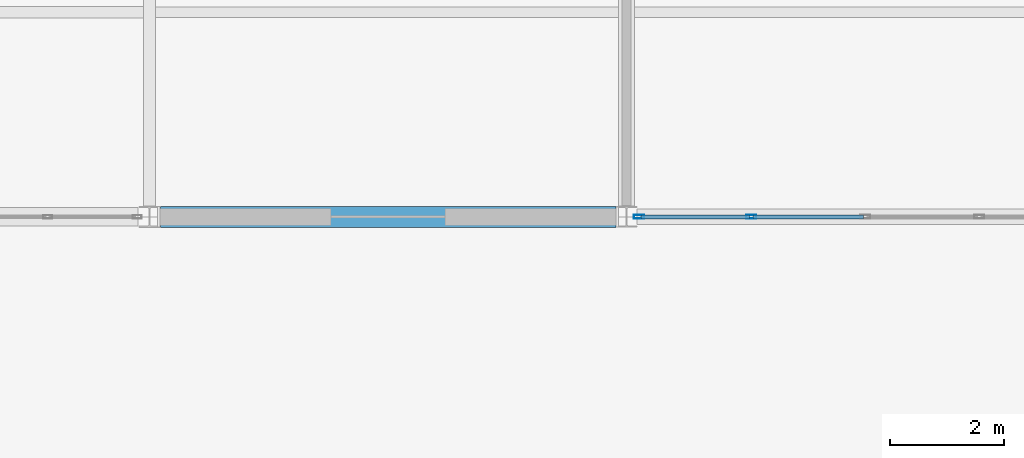
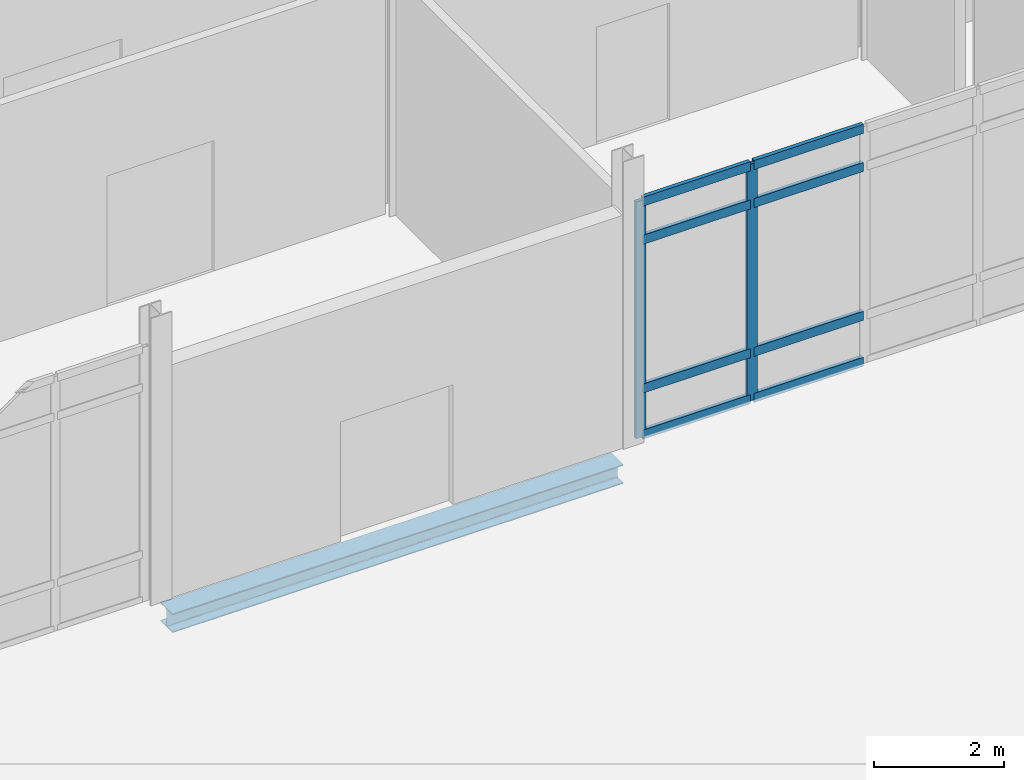
# One storey, part 90 of 229: 10 members, 1 beam, 1 element without a shape of its own.
"""IFC4 building model written with IfcOpenShell, lengths in metres."""

import ifcopenshell
import ifcopenshell.guid

model = None  # the IFC model being written
_history = None  # IfcOwnerHistory: only IFC2X3 demands one
_inside = {}  # id of a spatial element -> (the spatial element, [elements in it])
_under = {}  # id of a project, library or spatial element -> (it, [spatial elements below it])
_declared = {}  # id of a project -> (the project, [libraries it declares])
_typed = {}  # id of a type object -> (the type object, [elements of that type])
_made_of = {}  # id of a material, layer set ... -> (it, [elements and type objects made of it])


def new_model(schema):
    """Start an empty IFC model of exactly this schema.

    Asked for "IFC4X3", IfcOpenShell would pick the latest addendum, in which some entities
    have other attributes; the version numbers below select the first issue.
    IFC2X3 requires an IfcOwnerHistory on every rooted entity: one is made here for all.
    """
    global model, _history
    if schema == "IFC4X3":
        model = ifcopenshell.file(schema_version=(4, 3, 0, 0))
    else:
        model = ifcopenshell.file(schema=schema)
    _inside.clear()
    _under.clear()
    _declared.clear()
    _typed.clear()
    _made_of.clear()
    _history = None
    if model.schema == "IFC2X3":
        org = make("IfcOrganization", Name="unknown")
        user = make(
            "IfcPersonAndOrganization",
            ThePerson=make("IfcPerson", FamilyName="unknown"),
            TheOrganization=org,
        )
        app = make(
            "IfcApplication",
            ApplicationDeveloper=org,
            Version="unknown",
            ApplicationFullName="unknown",
            ApplicationIdentifier="unknown",
        )
        _history = make(
            "IfcOwnerHistory",
            OwningUser=user,
            OwningApplication=app,
            ChangeAction="ADDED",
            CreationDate=0,
        )
    return model


def make(cls, **values):
    """One entity of the class cls with the attributes given. An attribute that is None is left unset."""
    return model.create_entity(
        cls, **{name: value for name, value in values.items() if value is not None}
    )


def rooted(cls, **values):
    """An entity with a GlobalId (a new one), such as an element, a storey or a relation."""
    return make(cls, GlobalId=ifcopenshell.guid.new(), OwnerHistory=_history, **values)


def si_unit(unit_type, name, prefix=None):
    """IfcSIUnit, for example si_unit("LENGTHUNIT", "METRE", prefix="MILLI")."""
    return make("IfcSIUnit", UnitType=unit_type, Prefix=prefix, Name=name)


def assignment(units):
    """IfcUnitAssignment: the units of a project."""
    return None if units is None else make("IfcUnitAssignment", Units=units)


def point(xyz):
    """IfcCartesianPoint."""
    return None if xyz is None else make("IfcCartesianPoint", Coordinates=xyz)


def direction(xyz):
    """IfcDirection."""
    return None if xyz is None else make("IfcDirection", DirectionRatios=xyz)


def frame(location, z_axis=None, x_axis=None):
    """IfcAxis2Placement3D, a coordinate frame: its origin and axes. An axis left out is left unset."""
    return make(
        "IfcAxis2Placement3D",
        Location=point(location),
        Axis=direction(z_axis),
        RefDirection=direction(x_axis),
    )


def frame_2d(location, x_axis=None):
    """IfcAxis2Placement2D, a coordinate frame in the plane: its origin and x axis."""
    return make(
        "IfcAxis2Placement2D", Location=point(location), RefDirection=direction(x_axis)
    )


def origin():
    """The frame at (0, 0, 0) with its axes left unset."""
    return frame((0.0, 0.0, 0.0))


def origin_2d():
    """The frame at (0, 0) in the plane with its x axis left unset."""
    return frame_2d((0.0, 0.0))


def place(relative_to, where):
    """IfcLocalPlacement: puts the frame where relative to a parent placement (None: the world)."""
    return make(
        "IfcLocalPlacement", PlacementRelTo=relative_to, RelativePlacement=where
    )


def context(
    kind, dimensions, precision=None, world=None, true_north=None, identifier=None
):
    """IfcGeometricRepresentationContext, for example the 3D "Model" context."""
    return make(
        "IfcGeometricRepresentationContext",
        ContextIdentifier=identifier,
        ContextType=kind,
        CoordinateSpaceDimension=dimensions,
        Precision=precision,
        WorldCoordinateSystem=world,
        TrueNorth=true_north,
    )


def subcontext(parent, identifier, kind, view, scale=None):
    """IfcGeometricRepresentationSubContext, for example "Body" below "Model"."""
    return make(
        "IfcGeometricRepresentationSubContext",
        ContextIdentifier=identifier,
        ContextType=kind,
        ParentContext=parent,
        TargetScale=scale,
        TargetView=view,
    )


def project(units=None, contexts=None):
    """IfcProject with its units and contexts."""
    return rooted(
        "IfcProject",
        Name="project",
        RepresentationContexts=contexts,
        UnitsInContext=assignment(units),
    )


def spatial(cls, under=None, at=None, **own):
    """A site, building, storey or space (cls), placed at a placement, below another one or the project."""
    s = rooted(cls, ObjectPlacement=at, **own)
    if under is not None:
        _under.setdefault(under.id(), (under, []))[1].append(s)
    return s


def profile(cls, at=None, kind="AREA", **sizes):
    """A parametric profile (cls). Its sizes go by their IFC names, for example OverallWidth=200.0."""
    return make(cls, ProfileType=kind, Position=at, **sizes)


def hollow_rectangle(**sizes):
    """IfcRectangleHollowProfileDef."""
    return profile("IfcRectangleHollowProfileDef", **sizes)


def i_section(**sizes):
    """IfcIShapeProfileDef."""
    return profile("IfcIShapeProfileDef", **sizes)


def extrude(swept, where, along, depth):
    """IfcExtrudedAreaSolid: the profile swept, set in the frame where, extruded along a direction by depth."""
    return make(
        "IfcExtrudedAreaSolid",
        SweptArea=swept,
        Position=where,
        ExtrudedDirection=direction(along),
        Depth=depth,
    )


def shape(context_of_items, identifier, shape_type, items):
    """IfcShapeRepresentation: the items that make up one representation, for example the "Body"."""
    return make(
        "IfcShapeRepresentation",
        ContextOfItems=context_of_items,
        RepresentationIdentifier=identifier,
        RepresentationType=shape_type,
        Items=items,
    )


def material(Name=None, Category=None):
    """IfcMaterial."""
    return make("IfcMaterial", Name=Name, Category=Category)


def layer(
    of_material, thickness, ventilated=None, Name=None, Category=None, Priority=None
):
    """IfcMaterialLayer: one layer of a wall or slab, of a material (None: an air gap)."""
    return make(
        "IfcMaterialLayer",
        Material=of_material,
        LayerThickness=thickness,
        IsVentilated=ventilated,
        Name=Name,
        Category=Category,
        Priority=Priority,
    )


def layer_set(layers, Name=None):
    """IfcMaterialLayerSet."""
    return make("IfcMaterialLayerSet", MaterialLayers=layers, LayerSetName=Name)


def material_profile(
    of_material, cross_section, Name=None, Category=None, Priority=None
):
    """IfcMaterialProfile: a cross section and its material."""
    return make(
        "IfcMaterialProfile",
        Name=Name,
        Material=of_material,
        Profile=cross_section,
        Priority=Priority,
        Category=Category,
    )


def profile_set(profiles, Name=None, composite=None):
    """IfcMaterialProfileSet."""
    return make(
        "IfcMaterialProfileSet",
        Name=Name,
        MaterialProfiles=profiles,
        CompositeProfile=composite,
    )


def made_of(thing, what):
    """Note that an element or type object is made of a material, layer set ...; save() writes the relation."""
    if what is not None:
        _made_of.setdefault(what.id(), (what, []))[1].append(thing)
    return thing


def type_object(cls, material=None, **own):
    """A type object (cls), such as IfcWallType, which elements share."""
    return made_of(rooted(cls, **own), material)


def element(
    cls,
    number,
    at=None,
    inside=None,
    cuts=None,
    type_object=None,
    material=None,
    context=None,
    identifier="Body",
    shape_type=None,
    held_by="IfcProductDefinitionShape",
    body=None,
    shapes=None,
    **own,
):
    """One element of the class cls, such as IfcWall. Its Tag is "e" and its number.

    at: its placement. inside: the storey or other place that contains it. cuts: it is an
    opening in that element (IfcRelVoidsElement). A single representation is given by context,
    identifier, shape_type and body (its items); several are given by shapes. held_by: the class
    of the entity that holds the representations. save() writes the other relations.
    """
    e = rooted(cls, Tag="e%d" % number, ObjectPlacement=at, **own)
    if body is not None:
        shapes = [shape(context, identifier, shape_type, body)]
    if shapes is not None:
        e.Representation = make(held_by, Representations=shapes)
    if inside is not None:
        _inside.setdefault(inside.id(), (inside, []))[1].append(e)
    if cuts is not None:
        rooted(
            "IfcRelVoidsElement", RelatingBuildingElement=cuts, RelatedOpeningElement=e
        )
    if type_object is not None:
        _typed.setdefault(type_object.id(), (type_object, []))[1].append(e)
    return made_of(e, material)


def aggregate(whole, parts):
    """IfcRelAggregates: a whole, such as a stair, and the parts it consists of."""
    return rooted("IfcRelAggregates", RelatingObject=whole, RelatedObjects=parts)


def save(model, path):
    """Write the relations noted so far, then the file.

    IfcRelAggregates (storeys below a building ...), IfcRelContainedInSpatialStructure (elements
    in a storey), IfcRelDefinesByType, IfcRelAssociatesMaterial and IfcRelDeclares: one each for
    every whole, place, type object, material and project.
    """
    for whole, parts in _under.values():
        aggregate(whole, parts)
    for where, things in _inside.values():
        rooted(
            "IfcRelContainedInSpatialStructure",
            RelatedElements=things,
            RelatingStructure=where,
        )
    for kind, things in _typed.values():
        rooted("IfcRelDefinesByType", RelatedObjects=things, RelatingType=kind)
    for what, things in _made_of.values():
        rooted("IfcRelAssociatesMaterial", RelatedObjects=things, RelatingMaterial=what)
    for by, libraries in _declared.values():
        rooted("IfcRelDeclares", RelatingContext=by, RelatedDefinitions=libraries)
    model.write(path)


model = new_model("IFC4")

# Units and contexts
model_context = context("Model", 3, precision=1e-05, world=origin(), true_north=direction((0.0, 1.0)))
body_context = subcontext(model_context, "Body", "Model", "MODEL_VIEW")
ifc_project = project(units=[si_unit("LENGTHUNIT", "METRE"), si_unit("AREAUNIT", "SQUARE_METRE"), si_unit("VOLUMEUNIT", "CUBIC_METRE"), si_unit("PLANEANGLEUNIT", "RADIAN"), si_unit("MASSUNIT", "GRAM", prefix="KILO")], contexts=[model_context])

# Site, building, storey
site_placement = place(None, origin())
site = spatial("IfcSite", under=ifc_project, at=site_placement, CompositionType="ELEMENT")
building_placement = place(site_placement, origin())
building = spatial("IfcBuilding", under=site, at=building_placement, Name="Calvrana Isthmian Art Gallery", CompositionType="ELEMENT")
storey_placement = place(building_placement, origin())
storey = spatial("IfcBuildingStorey", under=building, at=storey_placement, Name="L00", CompositionType="ELEMENT", Elevation=0.0)

# Beam
ifc_material_1 = material(Name="Steel ASTM A992 Gr 50", Category="steel")
ifc_material_profile_1 = material_profile(ifc_material_1, i_section(OverallWidth=0.367919921875, OverallDepth=0.35595703125, WebThickness=0.01123046875, FlangeThickness=0.01806640625, FilletRadius=0.02490234375, at=origin_2d()), Name="W14X90")
ifc_profile_set_1 = profile_set([ifc_material_profile_1], Name="Steel ASTM A992 Gr 50")
beam_type = type_object("IfcBeamType", Name="BM-SP-W14X90", PredefinedType="SPANDREL", material=ifc_profile_set_1)
beam_placement = place(storey_placement, frame((30.197021484375, 98.39990234375, -0.462890625), z_axis=(1.0, 0.0, 0.0), x_axis=(0.0, 1.0, 0.0)))
element("IfcBeam", 1, at=beam_placement, inside=storey, type_object=beam_type, Name="Girder X L00 05-06/N", PredefinedType="SPANDREL", context=body_context, shape_type="SweptSolid", body=[
    extrude(i_section(OverallWidth=0.367919921875, OverallDepth=0.35595703125, WebThickness=0.01123046875, FlangeThickness=0.01806640625, FilletRadius=0.02490234375, at=origin_2d()), origin(), (0.0, 0.0, 1.0), 8.016357421875),
])

# Curtain wall, members
ifc_material_2 = material(Name="Anodized bronze aluminium 6063-T6", Category="aluminium")
ifc_layer = layer(ifc_material_2, 0.179931640625, Name="Anodized bronze aluminium 6063-T6")
ifc_layer_set = layer_set([ifc_layer], Name="Anodized bronze aluminium 6063-T6")
curtain_wall_type = type_object("IfcCurtainWallType", Name="CW-UNIT-080X44", PredefinedType="USERDEFINED", material=ifc_layer_set)
curtain_wall_placement = place(storey_placement, origin())
curtain_wall = element("IfcCurtainWall", 2, at=curtain_wall_placement, inside=storey, type_object=curtain_wall_type, Name="Curtain wall CW-038", ObjectType="UNITISED CURTAIN WALL", PredefinedType="USERDEFINED")
ifc_material_profile_2 = material_profile(ifc_material_2, hollow_rectangle(XDim=0.06494140625, YDim=0.179931640625, WallThickness=0.00439453125, at=origin_2d()), Name="CWM65X180")
ifc_profile_set_2 = profile_set([ifc_material_profile_2], Name="Anodized bronze aluminium 6063-T6")
member_type_1 = type_object("IfcMemberType", Name="CWM-CWM65X180", PredefinedType="MULLION", material=ifc_profile_set_2)
member_1_placement = place(storey_placement, frame((40.593017578125, 98.39990234375, 0.0), z_axis=(0.0, 0.0, 1.0), x_axis=(0.0, -1.0, 0.0)))
member_1 = element("IfcMember", 3, at=member_1_placement, type_object=member_type_1, Name="CW-038 mullion 4", PredefinedType="MULLION", context=body_context, shape_type="SweptSolid", body=[
    extrude(hollow_rectangle(XDim=0.06494140625, YDim=0.179931640625, WallThickness=0.00439453125, at=origin_2d()), origin(), (0.0, 0.0, 1.0), 4.447021484375),
])
member_2_placement = place(storey_placement, frame((38.617919921875, 98.39990234375, 0.0), z_axis=(0.0, 0.0, 1.0), x_axis=(0.0, -1.0, 0.0)))
member_2 = element("IfcMember", 4, at=member_2_placement, type_object=member_type_1, Name="CW-038 mullion 5", PredefinedType="MULLION", context=body_context, shape_type="SweptSolid", body=[
    extrude(hollow_rectangle(XDim=0.06494140625, YDim=0.179931640625, WallThickness=0.00439453125, at=origin_2d()), origin(), (0.0, 0.0, 1.0), 4.447021484375),
])
ifc_material_profile_3 = material_profile(ifc_material_2, hollow_rectangle(XDim=0.070068359375, YDim=0.169921875, WallThickness=0.00439453125, at=origin_2d()), Name="CWT70X170")
ifc_profile_set_3 = profile_set([ifc_material_profile_3], Name="Anodized bronze aluminium 6063-T6")
member_type_2 = type_object("IfcMemberType", Name="CWT-CWT70X170", PredefinedType="USERDEFINED", material=ifc_profile_set_3)
member_3_placement = place(storey_placement, frame((42.568359375, 98.39990234375, 0.034912109375), z_axis=(-1.0, 0.0, 0.0), x_axis=(0.0, -1.0, 0.0)))
member_3 = element("IfcMember", 5, at=member_3_placement, type_object=member_type_2, Name="CW-038 transom 3.1", ObjectType="TRANSOM", PredefinedType="USERDEFINED", context=body_context, shape_type="SweptSolid", body=[
    extrude(hollow_rectangle(XDim=0.070068359375, YDim=0.169921875, WallThickness=0.00439453125, at=origin_2d()), origin(), (0.0, 0.0, 1.0), 1.942626953125),
])
member_4_placement = place(storey_placement, frame((42.568359375, 98.39990234375, 0.89990234375), z_axis=(-1.0, 0.0, 0.0), x_axis=(0.0, -1.0, 0.0)))
member_4 = element("IfcMember", 6, at=member_4_placement, type_object=member_type_2, Name="CW-038 transom 3.2", ObjectType="TRANSOM", PredefinedType="USERDEFINED", context=body_context, shape_type="SweptSolid", body=[
    extrude(hollow_rectangle(XDim=0.070068359375, YDim=0.169921875, WallThickness=0.00439453125, at=origin_2d()), origin(), (0.0, 0.0, 1.0), 1.942626953125),
])
member_5_placement = place(storey_placement, frame((42.568359375, 98.39990234375, 3.697021484375), z_axis=(-1.0, 0.0, 0.0), x_axis=(0.0, -1.0, 0.0)))
member_5 = element("IfcMember", 7, at=member_5_placement, type_object=member_type_2, Name="CW-038 transom 3.3", ObjectType="TRANSOM", PredefinedType="USERDEFINED", context=body_context, shape_type="SweptSolid", body=[
    extrude(hollow_rectangle(XDim=0.070068359375, YDim=0.169921875, WallThickness=0.00439453125, at=origin_2d()), origin(), (0.0, 0.0, 1.0), 1.942626953125),
])
member_6_placement = place(storey_placement, frame((42.568359375, 98.39990234375, 4.412109375), z_axis=(-1.0, 0.0, 0.0), x_axis=(0.0, -1.0, 0.0)))
member_6 = element("IfcMember", 8, at=member_6_placement, type_object=member_type_2, Name="CW-038 transom 3.4", ObjectType="TRANSOM", PredefinedType="USERDEFINED", context=body_context, shape_type="SweptSolid", body=[
    extrude(hollow_rectangle(XDim=0.070068359375, YDim=0.169921875, WallThickness=0.00439453125, at=origin_2d()), origin(), (0.0, 0.0, 1.0), 1.942626953125),
])
member_7_placement = place(storey_placement, frame((40.560546875, 98.39990234375, 0.034912109375), z_axis=(-1.0, 0.0, 0.0), x_axis=(0.0, -1.0, 0.0)))
member_7 = element("IfcMember", 9, at=member_7_placement, type_object=member_type_2, Name="CW-038 transom 4.1", ObjectType="TRANSOM", PredefinedType="USERDEFINED", context=body_context, shape_type="SweptSolid", body=[
    extrude(hollow_rectangle(XDim=0.070068359375, YDim=0.169921875, WallThickness=0.00439453125, at=origin_2d()), origin(), (0.0, 0.0, 1.0), 1.91015625),
])
member_8_placement = place(storey_placement, frame((40.560546875, 98.39990234375, 0.89990234375), z_axis=(-1.0, 0.0, 0.0), x_axis=(0.0, -1.0, 0.0)))
member_8 = element("IfcMember", 10, at=member_8_placement, type_object=member_type_2, Name="CW-038 transom 4.2", ObjectType="TRANSOM", PredefinedType="USERDEFINED", context=body_context, shape_type="SweptSolid", body=[
    extrude(hollow_rectangle(XDim=0.070068359375, YDim=0.169921875, WallThickness=0.00439453125, at=origin_2d()), origin(), (0.0, 0.0, 1.0), 1.91015625),
])
member_9_placement = place(storey_placement, frame((40.560546875, 98.39990234375, 3.697021484375), z_axis=(-1.0, 0.0, 0.0), x_axis=(0.0, -1.0, 0.0)))
member_9 = element("IfcMember", 11, at=member_9_placement, type_object=member_type_2, Name="CW-038 transom 4.3", ObjectType="TRANSOM", PredefinedType="USERDEFINED", context=body_context, shape_type="SweptSolid", body=[
    extrude(hollow_rectangle(XDim=0.070068359375, YDim=0.169921875, WallThickness=0.00439453125, at=origin_2d()), origin(), (0.0, 0.0, 1.0), 1.91015625),
])
member_10_placement = place(storey_placement, frame((40.560546875, 98.39990234375, 4.412109375), z_axis=(-1.0, 0.0, 0.0), x_axis=(0.0, -1.0, 0.0)))
member_10 = element("IfcMember", 12, at=member_10_placement, type_object=member_type_2, Name="CW-038 transom 4.4", ObjectType="TRANSOM", PredefinedType="USERDEFINED", context=body_context, shape_type="SweptSolid", body=[
    extrude(hollow_rectangle(XDim=0.070068359375, YDim=0.169921875, WallThickness=0.00439453125, at=origin_2d()), origin(), (0.0, 0.0, 1.0), 1.91015625),
])
aggregate(curtain_wall, [member_1, member_2, member_3, member_4, member_5, member_6, member_7, member_8, member_9, member_10])

save(model, "model.ifc")
